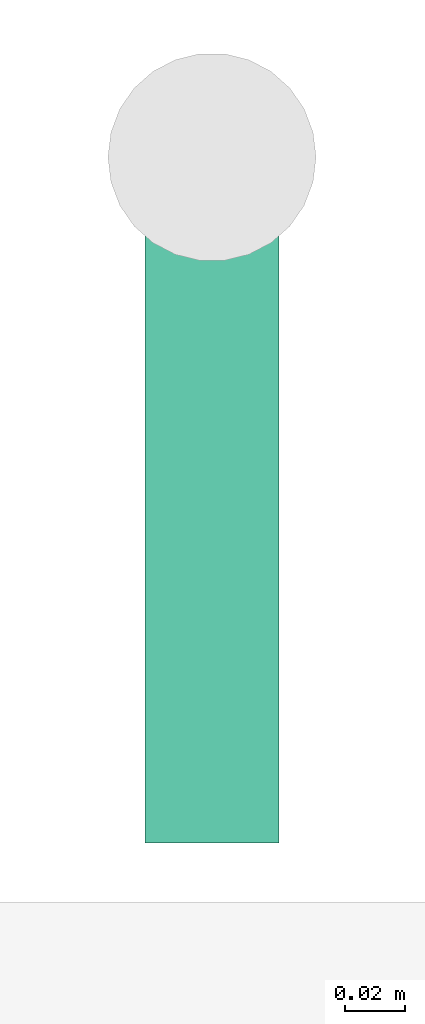
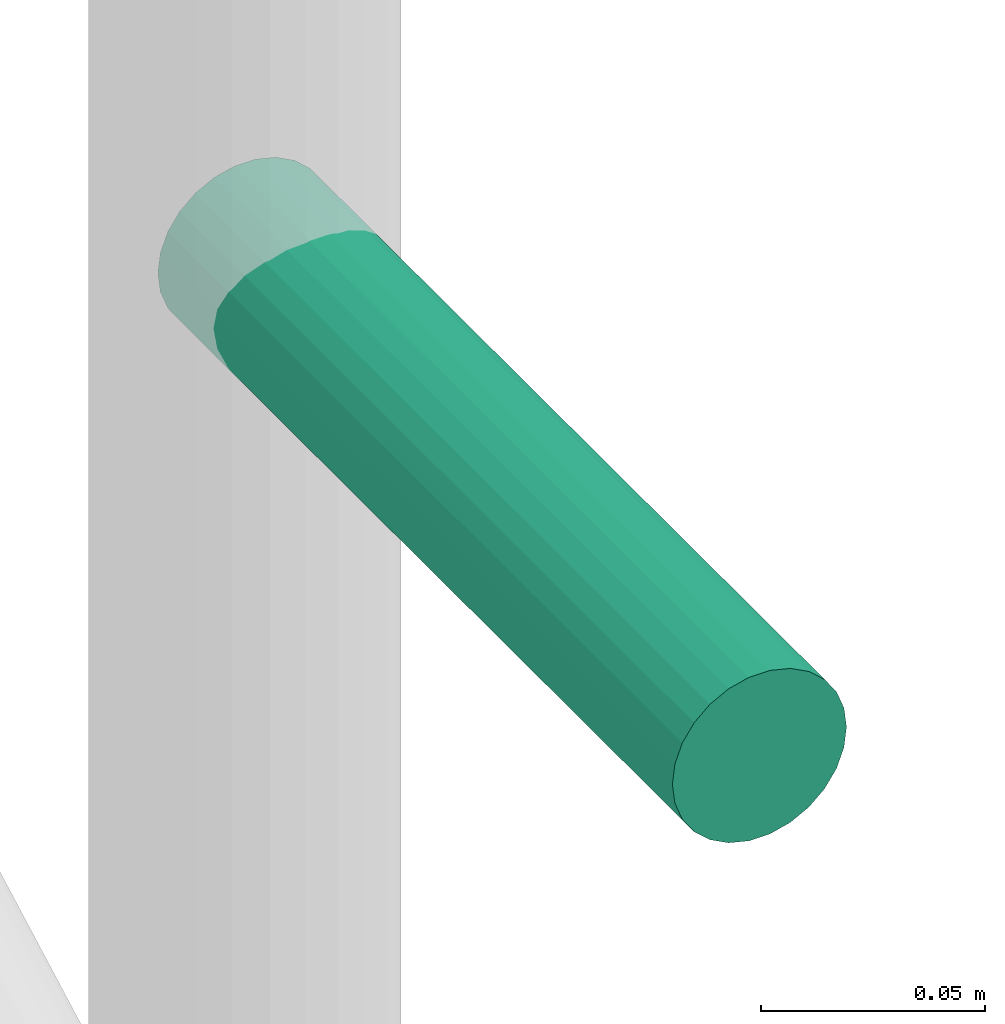
# One storey, part 41 of 45: 1 pipe fitting.
"""IFC4 building model written with IfcOpenShell, lengths in metres."""

from ifc_helpers import new_model, si_unit, direction, frame, origin, origin_2d, place, context, subcontext, project, spatial, circle, extrude, element, save


model = new_model("IFC4")

# Units and contexts
model_context = context("Model", 3, precision=1e-05, world=origin(), true_north=direction((0.0, 1.0)))
body_context = subcontext(model_context, "Body", "Model", "MODEL_VIEW")
ifc_project = project(units=[si_unit("LENGTHUNIT", "METRE"), si_unit("AREAUNIT", "SQUARE_METRE"), si_unit("VOLUMEUNIT", "CUBIC_METRE"), si_unit("PLANEANGLEUNIT", "RADIAN"), si_unit("MASSUNIT", "GRAM", prefix="KILO")], contexts=[model_context])

# Site, building, storey
site_placement = place(None, origin())
site = spatial("IfcSite", under=ifc_project, at=site_placement, CompositionType="ELEMENT")
building_placement = place(site_placement, origin())
building = spatial("IfcBuilding", under=site, at=building_placement, Name="Nzadi Deep Aquarium and Research Tower", CompositionType="ELEMENT")
storey_placement = place(building_placement, origin())
storey = spatial("IfcBuildingStorey", under=building, at=storey_placement, Name="G", CompositionType="ELEMENT", Elevation=0.0)

# Pipe fitting
pipe_fitting_placement = place(storey_placement, frame((2.300048828125, 68.9599609375, 1.10009765625), z_axis=(0.0, -1.0, 0.0), x_axis=(1.0, 0.0, 0.0)))
element("IfcPipeFitting", 1, at=pipe_fitting_placement, inside=storey, Name="Dry riser outlet ST-Z2-W G", PredefinedType="EXIT", context=body_context, shape_type="SweptSolid", body=[
    extrude(circle(Radius=0.0224609375, at=origin_2d()), origin(), (0.0, 0.0, 1.0), 0.22998046875),
])

save(model, "model.ifc")
